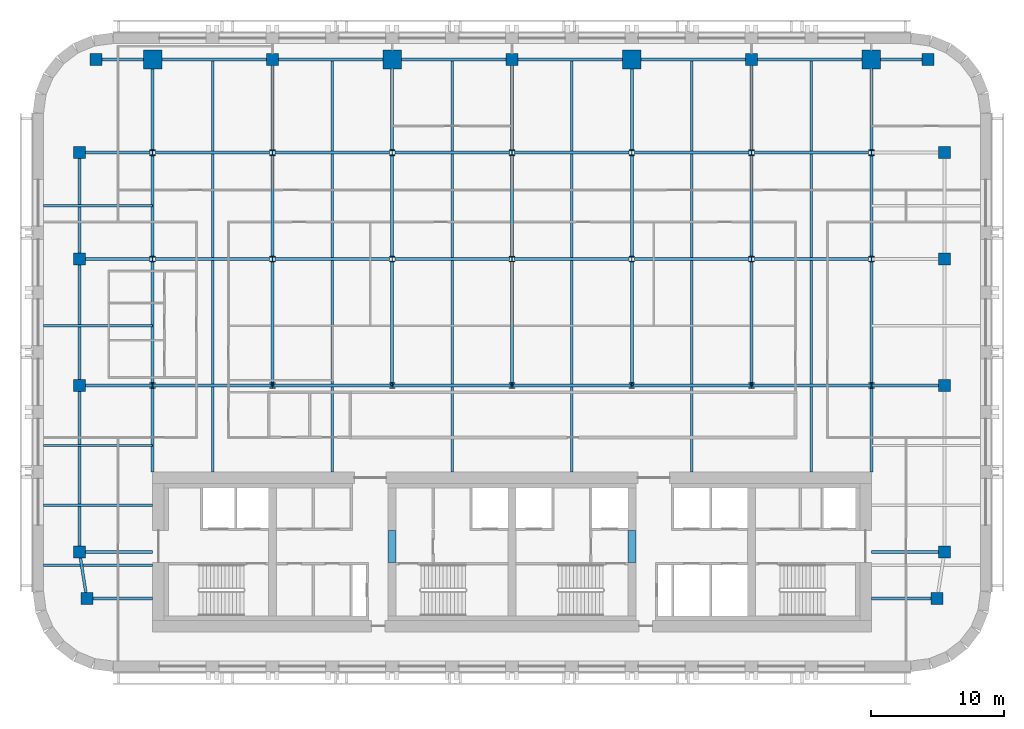
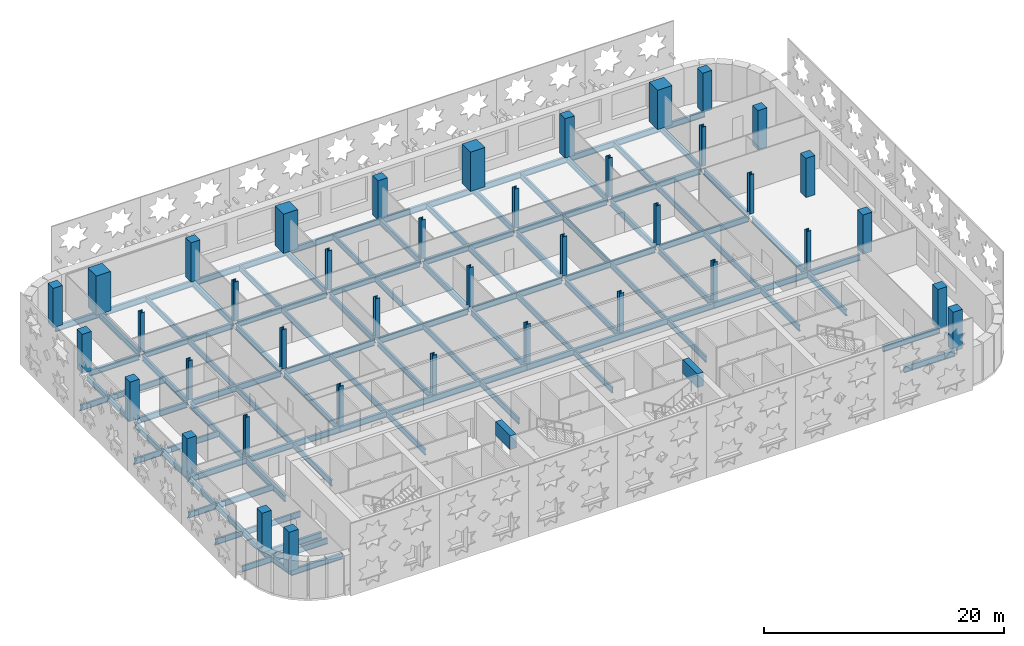
# One storey, part 1 of 12: 64 beams, 40 columns.
"""IFC4 building model written with IfcOpenShell, lengths in metres."""

from ifc_helpers import new_model, si_unit, direction, frame, origin, origin_2d, place, context, subcontext, project, spatial, rectangle, i_section, extrude, material, material_profile, profile_set, type_object, element, save


model = new_model("IFC4")

# Units and contexts
model_context = context("Model", 3, precision=1e-05, world=origin(), true_north=direction((0.0, 1.0)))
body_context = subcontext(model_context, "Body", "Model", "MODEL_VIEW")
ifc_project = project(units=[si_unit("LENGTHUNIT", "METRE"), si_unit("AREAUNIT", "SQUARE_METRE"), si_unit("VOLUMEUNIT", "CUBIC_METRE"), si_unit("PLANEANGLEUNIT", "RADIAN"), si_unit("MASSUNIT", "GRAM", prefix="KILO")], contexts=[model_context])

# Site, building, storey
site_placement = place(None, origin())
site = spatial("IfcSite", under=ifc_project, at=site_placement, CompositionType="ELEMENT")
building_placement = place(site_placement, origin())
building = spatial("IfcBuilding", under=site, at=building_placement, Name="Zellij Exchange Tower", CompositionType="ELEMENT")
storey_placement = place(building_placement, frame((0.0, 0.0, 180.5)))
storey = spatial("IfcBuildingStorey", under=building, at=storey_placement, Name="L41", CompositionType="ELEMENT", Elevation=180.5)

# Columns
ifc_material_1 = material(Name="Concrete C60/75", Category="concrete")
ifc_material_profile_1 = material_profile(ifc_material_1, rectangle(XDim=0.89990234375, YDim=0.89990234375, at=origin_2d()), Name="STR-COLUMN RC900x900 C60/75")
ifc_profile_set_1 = profile_set([ifc_material_profile_1], Name="Concrete C60/75")
column_type_1 = type_object("IfcColumnType", Name="STR-COLUMN RC900x900 C60/75", PredefinedType="COLUMN", material=ifc_profile_set_1)
for number, where, z_axis, x_axis, name in (
    (1, (-31.949951171875, -11.5, 0.0), (0.0, 0.0, 1.0), (1.0, 0.0, 0.0), "C16"),
    (2, (31.949951171875, -11.5, 0.0), (0.0, 0.0, 1.0), (1.0, 0.0, 0.0), "C16"),
    (3, (-32.5, -8.0, 0.0), (0.0, 0.0, 1.0), (1.0, 0.0, 0.0), "C16"),
    (4, (32.5, -8.0, 0.0), (0.0, 0.0, 1.0), (1.0, 0.0, 0.0), "C16"),
    (5, (-32.5, 4.5, 0.0), (0.0, 0.0, 1.0), (1.0, 0.0, 0.0), "C16"),
    (6, (32.5, 4.5, 0.0), (0.0, 0.0, 1.0), (1.0, 0.0, 0.0), "C16"),
    (7, (-32.5, 14.0, 0.0), (0.0, 0.0, 1.0), (1.0, 0.0, 0.0), "C16"),
    (8, (32.5, 14.0, 0.0), (0.0, 0.0, 1.0), (1.0, 0.0, 0.0), "C16"),
    (9, (-32.5, 22.0, 0.0), (0.0, 0.0, 1.0), (1.0, 0.0, 0.0), "C16"),
    (10, (32.5, 22.0, 0.0), (0.0, 0.0, 1.0), (1.0, 0.0, 0.0), "C16"),
    (11, (-31.25, 29.0, 0.0), (0.0, 0.0, 1.0), (1.0, 0.0, 0.0), "C16"),
    (12, (-18.0, 29.0, 0.0), (0.0, 0.0, 1.0), (1.0, 0.0, 0.0), "C16"),
    (13, (0.0, 29.0, 0.0), (0.0, 0.0, 1.0), (1.0, 0.0, 0.0), "C16"),
    (14, (18.0, 29.0, 0.0), (0.0, 0.0, 1.0), (1.0, 0.0, 0.0), "C16"),
    (15, (31.25, 29.0, 0.0), (0.0, 0.0, 1.0), (1.0, 0.0, 0.0), "C16"),
):
    element("IfcColumn", number, at=place(storey_placement, frame(where, z_axis=z_axis, x_axis=x_axis)), inside=storey, type_object=column_type_1, Name=name, PredefinedType="COLUMN", context=body_context, shape_type="SweptSolid", body=[
        extrude(rectangle(XDim=0.89990234375, YDim=0.89990234375, at=origin_2d()), origin(), (0.0, 0.0, 1.0), 4.0),
    ])
ifc_material_2 = material(Name="Structural steel ASTM A913 Gr 65", Category="steel")
ifc_material_profile_2 = material_profile(ifc_material_2, i_section(OverallWidth=0.408935546875, OverallDepth=0.424072265625, WebThickness=0.03271484375, FlangeThickness=0.052490234375, at=origin_2d()), Name="W14x283")
ifc_profile_set_2 = profile_set([ifc_material_profile_2], Name="Structural steel ASTM A913 Gr 65")
column_type_2 = type_object("IfcColumnType", Name="STR-COLUMN W14x283", PredefinedType="COLUMN", material=ifc_profile_set_2)
for number, where, z_axis, x_axis, name in (
    (16, (-27.0, 4.5, 0.0), (0.0, 0.0, 1.0), (1.0, 0.0, 0.0), "C3"),
    (17, (-18.0, 4.5, 0.0), (0.0, 0.0, 1.0), (1.0, 0.0, 0.0), "C3"),
    (18, (-9.0, 4.5, 0.0), (0.0, 0.0, 1.0), (1.0, 0.0, 0.0), "C3"),
    (19, (0.0, 4.5, 0.0), (0.0, 0.0, 1.0), (1.0, 0.0, 0.0), "C3"),
    (20, (9.0, 4.5, 0.0), (0.0, 0.0, 1.0), (1.0, 0.0, 0.0), "C3"),
    (21, (18.0, 4.5, 0.0), (0.0, 0.0, 1.0), (1.0, 0.0, 0.0), "C3"),
    (22, (27.0, 4.5, 0.0), (0.0, 0.0, 1.0), (1.0, 0.0, 0.0), "C3"),
    (23, (-27.0, 14.0, 0.0), (0.0, 0.0, 1.0), (1.0, 0.0, 0.0), "C3"),
    (24, (-18.0, 14.0, 0.0), (0.0, 0.0, 1.0), (1.0, 0.0, 0.0), "C3"),
    (25, (-9.0, 14.0, 0.0), (0.0, 0.0, 1.0), (1.0, 0.0, 0.0), "C3"),
    (26, (0.0, 14.0, 0.0), (0.0, 0.0, 1.0), (1.0, 0.0, 0.0), "C3"),
    (27, (9.0, 14.0, 0.0), (0.0, 0.0, 1.0), (1.0, 0.0, 0.0), "C3"),
    (28, (18.0, 14.0, 0.0), (0.0, 0.0, 1.0), (1.0, 0.0, 0.0), "C3"),
    (29, (27.0, 14.0, 0.0), (0.0, 0.0, 1.0), (1.0, 0.0, 0.0), "C3"),
    (30, (-27.0, 22.0, 0.0), (0.0, 0.0, 1.0), (1.0, 0.0, 0.0), "C3"),
    (31, (-18.0, 22.0, 0.0), (0.0, 0.0, 1.0), (1.0, 0.0, 0.0), "C3"),
    (32, (-9.0, 22.0, 0.0), (0.0, 0.0, 1.0), (1.0, 0.0, 0.0), "C3"),
    (33, (0.0, 22.0, 0.0), (0.0, 0.0, 1.0), (1.0, 0.0, 0.0), "C3"),
    (34, (9.0, 22.0, 0.0), (0.0, 0.0, 1.0), (1.0, 0.0, 0.0), "C3"),
    (35, (18.0, 22.0, 0.0), (0.0, 0.0, 1.0), (1.0, 0.0, 0.0), "C3"),
    (36, (27.0, 22.0, 0.0), (0.0, 0.0, 1.0), (1.0, 0.0, 0.0), "C3"),
):
    element("IfcColumn", number, at=place(storey_placement, frame(where, z_axis=z_axis, x_axis=x_axis)), inside=storey, type_object=column_type_2, Name=name, PredefinedType="COLUMN", context=body_context, shape_type="SweptSolid", body=[
        extrude(i_section(OverallWidth=0.408935546875, OverallDepth=0.424072265625, WebThickness=0.03271484375, FlangeThickness=0.052490234375, at=origin_2d()), origin(), (0.0, 0.0, 1.0), 4.0),
    ])
ifc_material_profile_3 = material_profile(ifc_material_1, rectangle(XDim=1.39990234375, YDim=1.39990234375, at=origin_2d()), Name="STR-MEGA COLUMN RC1400x1400 C60/75")
ifc_profile_set_3 = profile_set([ifc_material_profile_3], Name="Concrete C60/75")
column_type_3 = type_object("IfcColumnType", Name="STR-MEGA COLUMN RC1400x1400 C60/75", PredefinedType="COLUMN", material=ifc_profile_set_3)
for number, where, z_axis, x_axis, name in (
    (37, (-27.0, 29.0, 0.0), (0.0, 0.0, 1.0), (1.0, 0.0, 0.0), "MC3"),
    (38, (-9.0, 29.0, 0.0), (0.0, 0.0, 1.0), (1.0, 0.0, 0.0), "MC3"),
    (39, (9.0, 29.0, 0.0), (0.0, 0.0, 1.0), (1.0, 0.0, 0.0), "MC3"),
    (40, (27.0, 29.0, 0.0), (0.0, 0.0, 1.0), (1.0, 0.0, 0.0), "MC3"),
):
    element("IfcColumn", number, at=place(storey_placement, frame(where, z_axis=z_axis, x_axis=x_axis)), inside=storey, type_object=column_type_3, Name=name, PredefinedType="COLUMN", context=body_context, shape_type="SweptSolid", body=[
        extrude(rectangle(XDim=1.39990234375, YDim=1.39990234375, at=origin_2d()), origin(), (0.0, 0.0, 1.0), 4.0),
    ])

# Beams
ifc_material_profile_4 = material_profile(ifc_material_1, rectangle(XDim=0.60009765625, YDim=1.39990234375, at=origin_2d()), Name="CORE-CB 600x1400 C60/75")
ifc_profile_set_4 = profile_set([ifc_material_profile_4], Name="Concrete C60/75")
beam_type_1 = type_object("IfcBeamType", Name="CORE-CB 600x1400 C60/75", PredefinedType="BEAM", material=ifc_profile_set_4)
for number, where, z_axis, x_axis, name in (
    (41, (-9.0, -8.800048828125, 3.10009765625), (0.0, 1.0, 0.0), (-1.0, 0.0, 0.0), "Core coupling beam x -9 L41"),
    (42, (9.0, -8.800048828125, 3.10009765625), (0.0, 1.0, 0.0), (-1.0, 0.0, 0.0), "Core coupling beam x 9 L41"),
):
    element("IfcBeam", number, at=place(storey_placement, frame(where, z_axis=z_axis, x_axis=x_axis)), inside=storey, type_object=beam_type_1, Name=name, PredefinedType="BEAM", context=body_context, shape_type="SweptSolid", body=[
        extrude(rectangle(XDim=0.60009765625, YDim=1.39990234375, at=origin_2d()), origin(), (0.0, 0.0, 1.0), 2.425048828125),
    ])
ifc_material_3 = material(Name="Structural steel ASTM A992 Gr 50", Category="steel")
ifc_material_profile_5 = material_profile(ifc_material_3, i_section(OverallWidth=0.177978515625, OverallDepth=0.599365234375, WebThickness=0.010009765625, FlangeThickness=0.012939453125, at=origin_2d()), Name="W24x55")
ifc_profile_set_5 = profile_set([ifc_material_profile_5], Name="Structural steel ASTM A992 Gr 50")
beam_type_2 = type_object("IfcBeamType", Name="STR-BEAM W24x55", PredefinedType="BEAM", material=ifc_profile_set_5)
for number, where, z_axis, x_axis, name in (
    (43, (-22.5, -2.0, -0.499755859375), (0.0, 1.0, 0.0), (-1.0, 0.0, 0.0), "B4"),
    (44, (-13.5, -2.0, -0.499755859375), (0.0, 1.0, 0.0), (-1.0, 0.0, 0.0), "B4"),
    (45, (-4.5, -2.0, -0.499755859375), (0.0, 1.0, 0.0), (-1.0, 0.0, 0.0), "B4"),
    (46, (4.5, -2.0, -0.499755859375), (0.0, 1.0, 0.0), (-1.0, 0.0, 0.0), "B4"),
    (47, (13.5, -2.0, -0.499755859375), (0.0, 1.0, 0.0), (-1.0, 0.0, 0.0), "B4"),
    (48, (22.5, -2.0, -0.499755859375), (0.0, 1.0, 0.0), (-1.0, 0.0, 0.0), "B4"),
):
    element("IfcBeam", number, at=place(storey_placement, frame(where, z_axis=z_axis, x_axis=x_axis)), inside=storey, type_object=beam_type_2, Name=name, PredefinedType="BEAM", context=body_context, shape_type="SweptSolid", body=[
        extrude(i_section(OverallWidth=0.177978515625, OverallDepth=0.599365234375, WebThickness=0.010009765625, FlangeThickness=0.012939453125, at=origin_2d()), origin(), (0.0, 0.0, 1.0), 31.1142578125),
    ])
for number, where, z_axis, x_axis, name in (
    (49, (-35.199951171875, -9.0, -0.499755859375), (1.0, 0.0, 0.0), (0.0, 1.0, 0.0), "B4"),
    (50, (-35.199951171875, -4.5, -0.499755859375), (1.0, 0.0, 0.0), (0.0, 1.0, 0.0), "B4"),
    (51, (-35.199951171875, 0.0, -0.499755859375), (1.0, 0.0, 0.0), (0.0, 1.0, 0.0), "B4"),
    (52, (-35.199951171875, 9.0, -0.499755859375), (1.0, 0.0, 0.0), (0.0, 1.0, 0.0), "B4"),
    (53, (-35.199951171875, 18.0, -0.499755859375), (1.0, 0.0, 0.0), (0.0, 1.0, 0.0), "B4"),
):
    element("IfcBeam", number, at=place(storey_placement, frame(where, z_axis=z_axis, x_axis=x_axis)), inside=storey, type_object=beam_type_2, Name=name, PredefinedType="BEAM", context=body_context, shape_type="SweptSolid", body=[
        extrude(i_section(OverallWidth=0.177978515625, OverallDepth=0.599365234375, WebThickness=0.010009765625, FlangeThickness=0.012939453125, at=origin_2d()), origin(), (0.0, 0.0, 1.0), 8.199951171875),
    ])
ifc_material_profile_6 = material_profile(ifc_material_3, i_section(OverallWidth=0.209228515625, OverallDepth=0.533447265625, WebThickness=0.01025390625, FlangeThickness=0.015625, at=origin_2d()), Name="W21x62")
ifc_profile_set_6 = profile_set([ifc_material_profile_6], Name="Structural steel ASTM A992 Gr 50")
beam_type_3 = type_object("IfcBeamType", Name="STR-EDGE GIRDER W21x62", PredefinedType="BEAM", material=ifc_profile_set_6)
beam_1_placement = place(storey_placement, frame((-31.949951171875, -11.5, -0.466796875), z_axis=(-0.155251283593, 0.987875011802, 0.0), x_axis=(-0.987875011802, -0.155251283593, 0.0)))
element("IfcBeam", 54, at=beam_1_placement, inside=storey, type_object=beam_type_3, Name="EB3", PredefinedType="BEAM", context=body_context, shape_type="SweptSolid", body=[
    extrude(i_section(OverallWidth=0.209228515625, OverallDepth=0.533447265625, WebThickness=0.01025390625, FlangeThickness=0.015625, at=origin_2d()), origin(), (0.0, 0.0, 1.0), 3.54296875),
])
beam_2_placement = place(storey_placement, frame((-32.5, -8.0, -0.466796875), z_axis=(0.0, 1.0, 0.0), x_axis=(-1.0, 0.0, 0.0)))
element("IfcBeam", 55, at=beam_2_placement, inside=storey, type_object=beam_type_3, Name="EB3", PredefinedType="BEAM", context=body_context, shape_type="SweptSolid", body=[
    extrude(i_section(OverallWidth=0.209228515625, OverallDepth=0.533447265625, WebThickness=0.01025390625, FlangeThickness=0.015625, at=origin_2d()), origin(), (0.0, 0.0, 1.0), 12.5),
])
beam_3_placement = place(storey_placement, frame((-32.5, 4.5, -0.466796875), z_axis=(0.0, 1.0, 0.0), x_axis=(-1.0, 0.0, 0.0)))
element("IfcBeam", 56, at=beam_3_placement, inside=storey, type_object=beam_type_3, Name="EB3", PredefinedType="BEAM", context=body_context, shape_type="SweptSolid", body=[
    extrude(i_section(OverallWidth=0.209228515625, OverallDepth=0.533447265625, WebThickness=0.01025390625, FlangeThickness=0.015625, at=origin_2d()), origin(), (0.0, 0.0, 1.0), 9.050048828125),
])
beam_4_placement = place(storey_placement, frame((-32.5, 14.449951171875, -0.466796875), z_axis=(0.0, 1.0, 0.0), x_axis=(-1.0, 0.0, 0.0)))
element("IfcBeam", 57, at=beam_4_placement, inside=storey, type_object=beam_type_3, Name="EB3", PredefinedType="BEAM", context=body_context, shape_type="SweptSolid", body=[
    extrude(i_section(OverallWidth=0.209228515625, OverallDepth=0.533447265625, WebThickness=0.01025390625, FlangeThickness=0.015625, at=origin_2d()), origin(), (0.0, 0.0, 1.0), 7.10009765625),
])
ifc_material_profile_7 = material_profile(ifc_material_3, i_section(OverallWidth=0.228271484375, OverallDepth=0.607177734375, WebThickness=0.01123046875, FlangeThickness=0.017333984375, at=origin_2d()), Name="W24x76")
ifc_profile_set_7 = profile_set([ifc_material_profile_7], Name="Structural steel ASTM A992 Gr 50")
beam_type_4 = type_object("IfcBeamType", Name="STR-GIRDER W24x76", PredefinedType="BEAM", material=ifc_profile_set_7)
for number, where, z_axis, x_axis, name in (
    (58, (-31.949951171875, -11.5, -0.50341796875), (1.0, 0.0, 0.0), (0.0, 1.0, 0.0), "G2"),
    (59, (27.0, -11.5, -0.50341796875), (1.0, 0.0, 0.0), (0.0, 1.0, 0.0), "G2"),
):
    element("IfcBeam", number, at=place(storey_placement, frame(where, z_axis=z_axis, x_axis=x_axis)), inside=storey, type_object=beam_type_4, Name=name, PredefinedType="BEAM", context=body_context, shape_type="SweptSolid", body=[
        extrude(i_section(OverallWidth=0.228271484375, OverallDepth=0.607177734375, WebThickness=0.01123046875, FlangeThickness=0.017333984375, at=origin_2d()), origin(), (0.0, 0.0, 1.0), 4.949951171875),
    ])
for number, where, z_axis, x_axis, name in (
    (60, (-32.5, -8.0, -0.50341796875), (1.0, 0.0, 0.0), (0.0, 1.0, 0.0), "G2"),
    (61, (27.0, -8.0, -0.50341796875), (1.0, 0.0, 0.0), (0.0, 1.0, 0.0), "G2"),
):
    element("IfcBeam", number, at=place(storey_placement, frame(where, z_axis=z_axis, x_axis=x_axis)), inside=storey, type_object=beam_type_4, Name=name, PredefinedType="BEAM", context=body_context, shape_type="SweptSolid", body=[
        extrude(i_section(OverallWidth=0.228271484375, OverallDepth=0.607177734375, WebThickness=0.01123046875, FlangeThickness=0.017333984375, at=origin_2d()), origin(), (0.0, 0.0, 1.0), 5.5),
    ])
beam_5_placement = place(storey_placement, frame((-32.5, 4.5, -0.50341796875), z_axis=(1.0, 0.0, 0.0), x_axis=(0.0, 1.0, 0.0)))
element("IfcBeam", 62, at=beam_5_placement, inside=storey, type_object=beam_type_4, Name="G2", PredefinedType="BEAM", context=body_context, shape_type="SweptSolid", body=[
    extrude(i_section(OverallWidth=0.228271484375, OverallDepth=0.607177734375, WebThickness=0.01123046875, FlangeThickness=0.017333984375, at=origin_2d()), origin(), (0.0, 0.0, 1.0), 14.5),
])
for number, where, z_axis, x_axis, name in (
    (63, (-18.0, 4.5, -0.50341796875), (1.0, 0.0, 0.0), (0.0, 1.0, 0.0), "G2"),
    (64, (0.0, 4.5, -0.50341796875), (1.0, 0.0, 0.0), (0.0, 1.0, 0.0), "G2"),
):
    element("IfcBeam", number, at=place(storey_placement, frame(where, z_axis=z_axis, x_axis=x_axis)), inside=storey, type_object=beam_type_4, Name=name, PredefinedType="BEAM", context=body_context, shape_type="SweptSolid", body=[
        extrude(i_section(OverallWidth=0.228271484375, OverallDepth=0.607177734375, WebThickness=0.01123046875, FlangeThickness=0.017333984375, at=origin_2d()), origin(), (0.0, 0.0, 1.0), 18.0),
    ])
beam_6_placement = place(storey_placement, frame((18.0, 4.5, -0.50341796875), z_axis=(1.0, 0.0, 0.0), x_axis=(0.0, 1.0, 0.0)))
element("IfcBeam", 65, at=beam_6_placement, inside=storey, type_object=beam_type_4, Name="G2", PredefinedType="BEAM", context=body_context, shape_type="SweptSolid", body=[
    extrude(i_section(OverallWidth=0.228271484375, OverallDepth=0.607177734375, WebThickness=0.01123046875, FlangeThickness=0.017333984375, at=origin_2d()), origin(), (0.0, 0.0, 1.0), 14.050048828125),
])
beam_7_placement = place(storey_placement, frame((-32.050048828125, 14.0, -0.50341796875), z_axis=(1.0, 0.0, 0.0), x_axis=(0.0, 1.0, 0.0)))
element("IfcBeam", 66, at=beam_7_placement, inside=storey, type_object=beam_type_4, Name="G2", PredefinedType="BEAM", context=body_context, shape_type="SweptSolid", body=[
    extrude(i_section(OverallWidth=0.228271484375, OverallDepth=0.607177734375, WebThickness=0.01123046875, FlangeThickness=0.017333984375, at=origin_2d()), origin(), (0.0, 0.0, 1.0), 4.845458984375),
])
for number, where, z_axis, x_axis, name in (
    (67, (-26.79541015625, 14.0, -0.50341796875), (1.0, 0.0, 0.0), (0.0, 1.0, 0.0), "G2"),
    (68, (-17.79541015625, 14.0, -0.50341796875), (1.0, 0.0, 0.0), (0.0, 1.0, 0.0), "G2"),
    (69, (-8.79541015625, 14.0, -0.50341796875), (1.0, 0.0, 0.0), (0.0, 1.0, 0.0), "G2"),
    (70, (0.20458984375, 14.0, -0.50341796875), (1.0, 0.0, 0.0), (0.0, 1.0, 0.0), "G2"),
    (71, (9.20458984375, 14.0, -0.50341796875), (1.0, 0.0, 0.0), (0.0, 1.0, 0.0), "G2"),
    (72, (18.20458984375, 14.0, -0.50341796875), (1.0, 0.0, 0.0), (0.0, 1.0, 0.0), "G2"),
):
    element("IfcBeam", number, at=place(storey_placement, frame(where, z_axis=z_axis, x_axis=x_axis)), inside=storey, type_object=beam_type_4, Name=name, PredefinedType="BEAM", context=body_context, shape_type="SweptSolid", body=[
        extrude(i_section(OverallWidth=0.228271484375, OverallDepth=0.607177734375, WebThickness=0.01123046875, FlangeThickness=0.017333984375, at=origin_2d()), origin(), (0.0, 0.0, 1.0), 8.5908203125),
    ])
beam_8_placement = place(storey_placement, frame((-32.050048828125, 22.0, -0.50341796875), z_axis=(1.0, 0.0, 0.0), x_axis=(0.0, 1.0, 0.0)))
element("IfcBeam", 73, at=beam_8_placement, inside=storey, type_object=beam_type_4, Name="G2", PredefinedType="BEAM", context=body_context, shape_type="SweptSolid", body=[
    extrude(i_section(OverallWidth=0.228271484375, OverallDepth=0.607177734375, WebThickness=0.01123046875, FlangeThickness=0.017333984375, at=origin_2d()), origin(), (0.0, 0.0, 1.0), 4.845458984375),
])
for number, where, z_axis, x_axis, name in (
    (74, (-26.79541015625, 22.0, -0.50341796875), (1.0, 0.0, 0.0), (0.0, 1.0, 0.0), "G2"),
    (75, (-17.79541015625, 22.0, -0.50341796875), (1.0, 0.0, 0.0), (0.0, 1.0, 0.0), "G2"),
    (76, (-8.79541015625, 22.0, -0.50341796875), (1.0, 0.0, 0.0), (0.0, 1.0, 0.0), "G2"),
    (77, (0.20458984375, 22.0, -0.50341796875), (1.0, 0.0, 0.0), (0.0, 1.0, 0.0), "G2"),
    (78, (9.20458984375, 22.0, -0.50341796875), (1.0, 0.0, 0.0), (0.0, 1.0, 0.0), "G2"),
    (79, (18.20458984375, 22.0, -0.50341796875), (1.0, 0.0, 0.0), (0.0, 1.0, 0.0), "G2"),
):
    element("IfcBeam", number, at=place(storey_placement, frame(where, z_axis=z_axis, x_axis=x_axis)), inside=storey, type_object=beam_type_4, Name=name, PredefinedType="BEAM", context=body_context, shape_type="SweptSolid", body=[
        extrude(i_section(OverallWidth=0.228271484375, OverallDepth=0.607177734375, WebThickness=0.01123046875, FlangeThickness=0.017333984375, at=origin_2d()), origin(), (0.0, 0.0, 1.0), 8.5908203125),
    ])
beam_9_placement = place(storey_placement, frame((-31.25, 29.0, -0.50341796875), z_axis=(1.0, 0.0, 0.0), x_axis=(0.0, 1.0, 0.0)))
element("IfcBeam", 80, at=beam_9_placement, inside=storey, type_object=beam_type_4, Name="G2", PredefinedType="BEAM", context=body_context, shape_type="SweptSolid", body=[
    extrude(i_section(OverallWidth=0.228271484375, OverallDepth=0.607177734375, WebThickness=0.01123046875, FlangeThickness=0.017333984375, at=origin_2d()), origin(), (0.0, 0.0, 1.0), 13.25),
])
for number, where, z_axis, x_axis, name in (
    (81, (-18.0, 29.0, -0.50341796875), (1.0, 0.0, 0.0), (0.0, 1.0, 0.0), "G2"),
    (82, (0.0, 29.0, -0.50341796875), (1.0, 0.0, 0.0), (0.0, 1.0, 0.0), "G2"),
):
    element("IfcBeam", number, at=place(storey_placement, frame(where, z_axis=z_axis, x_axis=x_axis)), inside=storey, type_object=beam_type_4, Name=name, PredefinedType="BEAM", context=body_context, shape_type="SweptSolid", body=[
        extrude(i_section(OverallWidth=0.228271484375, OverallDepth=0.607177734375, WebThickness=0.01123046875, FlangeThickness=0.017333984375, at=origin_2d()), origin(), (0.0, 0.0, 1.0), 18.0),
    ])
beam_10_placement = place(storey_placement, frame((18.0, 29.0, -0.50341796875), z_axis=(1.0, 0.0, 0.0), x_axis=(0.0, 1.0, 0.0)))
element("IfcBeam", 83, at=beam_10_placement, inside=storey, type_object=beam_type_4, Name="G2", PredefinedType="BEAM", context=body_context, shape_type="SweptSolid", body=[
    extrude(i_section(OverallWidth=0.228271484375, OverallDepth=0.607177734375, WebThickness=0.01123046875, FlangeThickness=0.017333984375, at=origin_2d()), origin(), (0.0, 0.0, 1.0), 13.25),
])
beam_11_placement = place(storey_placement, frame((-27.0, -2.0, -0.50341796875), z_axis=(0.0, 1.0, 0.0), x_axis=(-1.0, 0.0, 0.0)))
element("IfcBeam", 84, at=beam_11_placement, inside=storey, type_object=beam_type_4, Name="G2", PredefinedType="BEAM", context=body_context, shape_type="SweptSolid", body=[
    extrude(i_section(OverallWidth=0.228271484375, OverallDepth=0.607177734375, WebThickness=0.01123046875, FlangeThickness=0.017333984375, at=origin_2d()), origin(), (0.0, 0.0, 1.0), 15.787841796875),
])
beam_12_placement = place(storey_placement, frame((-27.0, 14.212158203125, -0.50341796875), z_axis=(0.0, 1.0, 0.0), x_axis=(-1.0, 0.0, 0.0)))
element("IfcBeam", 85, at=beam_12_placement, inside=storey, type_object=beam_type_4, Name="G2", PredefinedType="BEAM", context=body_context, shape_type="SweptSolid", body=[
    extrude(i_section(OverallWidth=0.228271484375, OverallDepth=0.607177734375, WebThickness=0.01123046875, FlangeThickness=0.017333984375, at=origin_2d()), origin(), (0.0, 0.0, 1.0), 7.57568359375),
])
beam_13_placement = place(storey_placement, frame((-27.0, 22.212158203125, -0.50341796875), z_axis=(0.0, 1.0, 0.0), x_axis=(-1.0, 0.0, 0.0)))
element("IfcBeam", 86, at=beam_13_placement, inside=storey, type_object=beam_type_4, Name="G2", PredefinedType="BEAM", context=body_context, shape_type="SweptSolid", body=[
    extrude(i_section(OverallWidth=0.228271484375, OverallDepth=0.607177734375, WebThickness=0.01123046875, FlangeThickness=0.017333984375, at=origin_2d()), origin(), (0.0, 0.0, 1.0), 6.787841796875),
])
beam_14_placement = place(storey_placement, frame((-18.0, 4.5, -0.50341796875), z_axis=(0.0, 1.0, 0.0), x_axis=(-1.0, 0.0, 0.0)))
element("IfcBeam", 87, at=beam_14_placement, inside=storey, type_object=beam_type_4, Name="G2", PredefinedType="BEAM", context=body_context, shape_type="SweptSolid", body=[
    extrude(i_section(OverallWidth=0.228271484375, OverallDepth=0.607177734375, WebThickness=0.01123046875, FlangeThickness=0.017333984375, at=origin_2d()), origin(), (0.0, 0.0, 1.0), 9.287841796875),
])
beam_15_placement = place(storey_placement, frame((-18.0, 14.212158203125, -0.50341796875), z_axis=(0.0, 1.0, 0.0), x_axis=(-1.0, 0.0, 0.0)))
element("IfcBeam", 88, at=beam_15_placement, inside=storey, type_object=beam_type_4, Name="G2", PredefinedType="BEAM", context=body_context, shape_type="SweptSolid", body=[
    extrude(i_section(OverallWidth=0.228271484375, OverallDepth=0.607177734375, WebThickness=0.01123046875, FlangeThickness=0.017333984375, at=origin_2d()), origin(), (0.0, 0.0, 1.0), 7.57568359375),
])
beam_16_placement = place(storey_placement, frame((-18.0, 22.212158203125, -0.50341796875), z_axis=(0.0, 1.0, 0.0), x_axis=(-1.0, 0.0, 0.0)))
element("IfcBeam", 89, at=beam_16_placement, inside=storey, type_object=beam_type_4, Name="G2", PredefinedType="BEAM", context=body_context, shape_type="SweptSolid", body=[
    extrude(i_section(OverallWidth=0.228271484375, OverallDepth=0.607177734375, WebThickness=0.01123046875, FlangeThickness=0.017333984375, at=origin_2d()), origin(), (0.0, 0.0, 1.0), 6.787841796875),
])
beam_17_placement = place(storey_placement, frame((-9.0, 4.5, -0.50341796875), z_axis=(0.0, 1.0, 0.0), x_axis=(-1.0, 0.0, 0.0)))
element("IfcBeam", 90, at=beam_17_placement, inside=storey, type_object=beam_type_4, Name="G2", PredefinedType="BEAM", context=body_context, shape_type="SweptSolid", body=[
    extrude(i_section(OverallWidth=0.228271484375, OverallDepth=0.607177734375, WebThickness=0.01123046875, FlangeThickness=0.017333984375, at=origin_2d()), origin(), (0.0, 0.0, 1.0), 9.287841796875),
])
beam_18_placement = place(storey_placement, frame((-9.0, 14.212158203125, -0.50341796875), z_axis=(0.0, 1.0, 0.0), x_axis=(-1.0, 0.0, 0.0)))
element("IfcBeam", 91, at=beam_18_placement, inside=storey, type_object=beam_type_4, Name="G2", PredefinedType="BEAM", context=body_context, shape_type="SweptSolid", body=[
    extrude(i_section(OverallWidth=0.228271484375, OverallDepth=0.607177734375, WebThickness=0.01123046875, FlangeThickness=0.017333984375, at=origin_2d()), origin(), (0.0, 0.0, 1.0), 7.57568359375),
])
beam_19_placement = place(storey_placement, frame((-9.0, 22.212158203125, -0.50341796875), z_axis=(0.0, 1.0, 0.0), x_axis=(-1.0, 0.0, 0.0)))
element("IfcBeam", 92, at=beam_19_placement, inside=storey, type_object=beam_type_4, Name="G2", PredefinedType="BEAM", context=body_context, shape_type="SweptSolid", body=[
    extrude(i_section(OverallWidth=0.228271484375, OverallDepth=0.607177734375, WebThickness=0.01123046875, FlangeThickness=0.017333984375, at=origin_2d()), origin(), (0.0, 0.0, 1.0), 6.787841796875),
])
beam_20_placement = place(storey_placement, frame((0.0, 4.5, -0.50341796875), z_axis=(0.0, 1.0, 0.0), x_axis=(-1.0, 0.0, 0.0)))
element("IfcBeam", 93, at=beam_20_placement, inside=storey, type_object=beam_type_4, Name="G2", PredefinedType="BEAM", context=body_context, shape_type="SweptSolid", body=[
    extrude(i_section(OverallWidth=0.228271484375, OverallDepth=0.607177734375, WebThickness=0.01123046875, FlangeThickness=0.017333984375, at=origin_2d()), origin(), (0.0, 0.0, 1.0), 9.287841796875),
])
beam_21_placement = place(storey_placement, frame((0.0, 14.212158203125, -0.50341796875), z_axis=(0.0, 1.0, 0.0), x_axis=(-1.0, 0.0, 0.0)))
element("IfcBeam", 94, at=beam_21_placement, inside=storey, type_object=beam_type_4, Name="G2", PredefinedType="BEAM", context=body_context, shape_type="SweptSolid", body=[
    extrude(i_section(OverallWidth=0.228271484375, OverallDepth=0.607177734375, WebThickness=0.01123046875, FlangeThickness=0.017333984375, at=origin_2d()), origin(), (0.0, 0.0, 1.0), 7.57568359375),
])
beam_22_placement = place(storey_placement, frame((0.0, 22.212158203125, -0.50341796875), z_axis=(0.0, 1.0, 0.0), x_axis=(-1.0, 0.0, 0.0)))
element("IfcBeam", 95, at=beam_22_placement, inside=storey, type_object=beam_type_4, Name="G2", PredefinedType="BEAM", context=body_context, shape_type="SweptSolid", body=[
    extrude(i_section(OverallWidth=0.228271484375, OverallDepth=0.607177734375, WebThickness=0.01123046875, FlangeThickness=0.017333984375, at=origin_2d()), origin(), (0.0, 0.0, 1.0), 6.787841796875),
])
beam_23_placement = place(storey_placement, frame((9.0, 4.5, -0.50341796875), z_axis=(0.0, 1.0, 0.0), x_axis=(-1.0, 0.0, 0.0)))
element("IfcBeam", 96, at=beam_23_placement, inside=storey, type_object=beam_type_4, Name="G2", PredefinedType="BEAM", context=body_context, shape_type="SweptSolid", body=[
    extrude(i_section(OverallWidth=0.228271484375, OverallDepth=0.607177734375, WebThickness=0.01123046875, FlangeThickness=0.017333984375, at=origin_2d()), origin(), (0.0, 0.0, 1.0), 9.287841796875),
])
beam_24_placement = place(storey_placement, frame((9.0, 14.212158203125, -0.50341796875), z_axis=(0.0, 1.0, 0.0), x_axis=(-1.0, 0.0, 0.0)))
element("IfcBeam", 97, at=beam_24_placement, inside=storey, type_object=beam_type_4, Name="G2", PredefinedType="BEAM", context=body_context, shape_type="SweptSolid", body=[
    extrude(i_section(OverallWidth=0.228271484375, OverallDepth=0.607177734375, WebThickness=0.01123046875, FlangeThickness=0.017333984375, at=origin_2d()), origin(), (0.0, 0.0, 1.0), 7.57568359375),
])
beam_25_placement = place(storey_placement, frame((9.0, 22.212158203125, -0.50341796875), z_axis=(0.0, 1.0, 0.0), x_axis=(-1.0, 0.0, 0.0)))
element("IfcBeam", 98, at=beam_25_placement, inside=storey, type_object=beam_type_4, Name="G2", PredefinedType="BEAM", context=body_context, shape_type="SweptSolid", body=[
    extrude(i_section(OverallWidth=0.228271484375, OverallDepth=0.607177734375, WebThickness=0.01123046875, FlangeThickness=0.017333984375, at=origin_2d()), origin(), (0.0, 0.0, 1.0), 6.787841796875),
])
beam_26_placement = place(storey_placement, frame((18.0, 4.5, -0.50341796875), z_axis=(0.0, 1.0, 0.0), x_axis=(-1.0, 0.0, 0.0)))
element("IfcBeam", 99, at=beam_26_placement, inside=storey, type_object=beam_type_4, Name="G2", PredefinedType="BEAM", context=body_context, shape_type="SweptSolid", body=[
    extrude(i_section(OverallWidth=0.228271484375, OverallDepth=0.607177734375, WebThickness=0.01123046875, FlangeThickness=0.017333984375, at=origin_2d()), origin(), (0.0, 0.0, 1.0), 9.287841796875),
])
beam_27_placement = place(storey_placement, frame((18.0, 14.212158203125, -0.50341796875), z_axis=(0.0, 1.0, 0.0), x_axis=(-1.0, 0.0, 0.0)))
element("IfcBeam", 100, at=beam_27_placement, inside=storey, type_object=beam_type_4, Name="G2", PredefinedType="BEAM", context=body_context, shape_type="SweptSolid", body=[
    extrude(i_section(OverallWidth=0.228271484375, OverallDepth=0.607177734375, WebThickness=0.01123046875, FlangeThickness=0.017333984375, at=origin_2d()), origin(), (0.0, 0.0, 1.0), 7.57568359375),
])
beam_28_placement = place(storey_placement, frame((18.0, 22.212158203125, -0.50341796875), z_axis=(0.0, 1.0, 0.0), x_axis=(-1.0, 0.0, 0.0)))
element("IfcBeam", 101, at=beam_28_placement, inside=storey, type_object=beam_type_4, Name="G2", PredefinedType="BEAM", context=body_context, shape_type="SweptSolid", body=[
    extrude(i_section(OverallWidth=0.228271484375, OverallDepth=0.607177734375, WebThickness=0.01123046875, FlangeThickness=0.017333984375, at=origin_2d()), origin(), (0.0, 0.0, 1.0), 6.787841796875),
])
beam_29_placement = place(storey_placement, frame((27.0, -2.0, -0.50341796875), z_axis=(0.0, 1.0, 0.0), x_axis=(-1.0, 0.0, 0.0)))
element("IfcBeam", 102, at=beam_29_placement, inside=storey, type_object=beam_type_4, Name="G2", PredefinedType="BEAM", context=body_context, shape_type="SweptSolid", body=[
    extrude(i_section(OverallWidth=0.228271484375, OverallDepth=0.607177734375, WebThickness=0.01123046875, FlangeThickness=0.017333984375, at=origin_2d()), origin(), (0.0, 0.0, 1.0), 15.787841796875),
])
beam_30_placement = place(storey_placement, frame((27.0, 14.212158203125, -0.50341796875), z_axis=(0.0, 1.0, 0.0), x_axis=(-1.0, 0.0, 0.0)))
element("IfcBeam", 103, at=beam_30_placement, inside=storey, type_object=beam_type_4, Name="G2", PredefinedType="BEAM", context=body_context, shape_type="SweptSolid", body=[
    extrude(i_section(OverallWidth=0.228271484375, OverallDepth=0.607177734375, WebThickness=0.01123046875, FlangeThickness=0.017333984375, at=origin_2d()), origin(), (0.0, 0.0, 1.0), 7.57568359375),
])
beam_31_placement = place(storey_placement, frame((27.0, 22.212158203125, -0.50341796875), z_axis=(0.0, 1.0, 0.0), x_axis=(-1.0, 0.0, 0.0)))
element("IfcBeam", 104, at=beam_31_placement, inside=storey, type_object=beam_type_4, Name="G2", PredefinedType="BEAM", context=body_context, shape_type="SweptSolid", body=[
    extrude(i_section(OverallWidth=0.228271484375, OverallDepth=0.607177734375, WebThickness=0.01123046875, FlangeThickness=0.017333984375, at=origin_2d()), origin(), (0.0, 0.0, 1.0), 6.787841796875),
])

save(model, "model.ifc")
